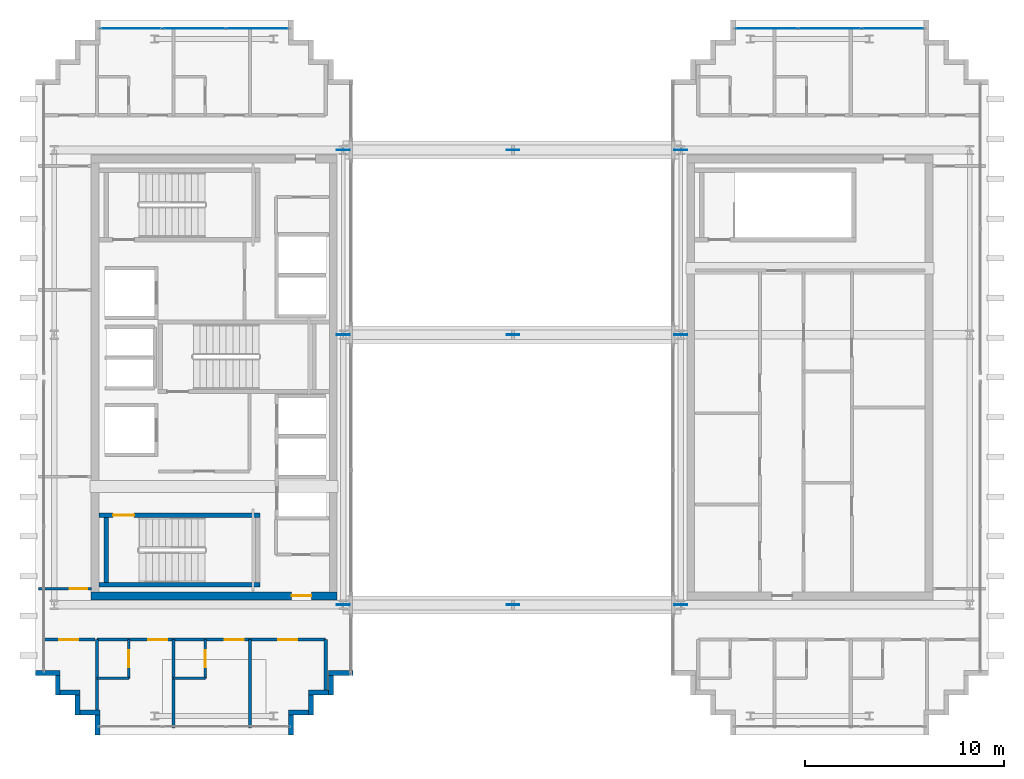
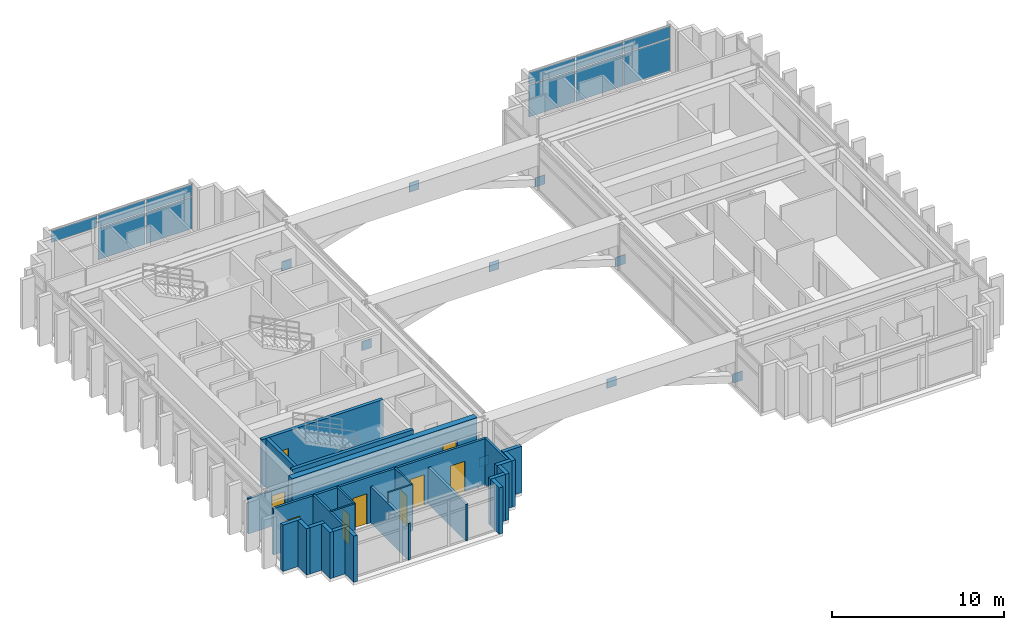
# One storey, part 22 of 28: 27 walls, 20 plates, 9 doors, 9 openings, 2 elements without a shape of their own.
"""IFC4 building model written with IfcOpenShell, lengths in metres."""

from ifc_helpers import new_model, si_unit, direction, frame, frame_2d, origin, origin_2d, place, context, subcontext, project, spatial, rectangle, extrude, source, transform, mapped, material, layer, layer_set, type_object, element, fill, aggregate, save


model = new_model("IFC4")

# Units and contexts
model_context = context("Model", 3, precision=1e-05, world=origin(), true_north=direction((0.0, 1.0)))
body_context = subcontext(model_context, "Body", "Model", "MODEL_VIEW")
ifc_project = project(units=[si_unit("LENGTHUNIT", "METRE"), si_unit("AREAUNIT", "SQUARE_METRE"), si_unit("VOLUMEUNIT", "CUBIC_METRE"), si_unit("PLANEANGLEUNIT", "RADIAN"), si_unit("MASSUNIT", "GRAM", prefix="KILO")], contexts=[model_context])

# Site, building, storey
site_placement = place(None, origin())
site = spatial("IfcSite", under=ifc_project, at=site_placement, CompositionType="ELEMENT")
building_placement = place(site_placement, origin())
building = spatial("IfcBuilding", under=site, at=building_placement, Name="Ocotamira Hotel", CompositionType="ELEMENT")
storey_placement = place(building_placement, frame((0.0, 0.0, 268.800048828125)))
storey = spatial("IfcBuildingStorey", under=building, at=storey_placement, Name="L68", CompositionType="ELEMENT", Elevation=268.800048828125)

# Plates
ifc_material_1 = material(Name="Pale-metal coated steel ASTM A572 Grade 50", Category="steel")
ifc_layer_1 = layer(ifc_material_1, 0.0400390625)
ifc_layer_set_1 = layer_set([ifc_layer_1], Name="Pale-metal coated steel ASTM A572 Grade 50")
plate_type_1 = type_object("IfcPlateType", Name="PLT-GUSSET-40", PredefinedType="SHEET", material=ifc_layer_set_1)
shared_shape_1 = source(origin(), body_context, "Body", "SweptSolid", [
    extrude(rectangle(XDim=0.64990234375, YDim=0.0400390625, at=origin_2d()), origin(), (0.0, 0.0, 1.0), 0.64990234375),
])
for number, where, z_axis, x_axis, name in (
    (1, (23.5, 14.550048828125, -0.074951171875), (0.0, 0.0, 1.0), (1.0, 0.0, 0.0), "L68 Peak Transfer Truss Web 1 Y14 End Gusset A"),
    (2, (32.050048828125, 14.550048828125, 2.5048828125), (0.0, 0.0, 1.0), (1.0, 0.0, 0.0), "L68 Peak Transfer Truss Web 1 Y14 End Gusset B"),
    (3, (40.5, 14.550048828125, -0.074951171875), (0.0, 0.0, 1.0), (-1.0, 0.0, 0.0), "L68 Peak Transfer Truss Web 2 Y14 End Gusset A"),
    (4, (23.5, 28.14990234375, -0.074951171875), (0.0, 0.0, 1.0), (1.0, 0.0, 0.0), "L68 Peak Transfer Truss Web 1 Y28 End Gusset A"),
    (5, (32.050048828125, 28.14990234375, 2.5048828125), (0.0, 0.0, 1.0), (1.0, 0.0, 0.0), "L68 Peak Transfer Truss Web 1 Y28 End Gusset B"),
    (6, (40.5, 28.14990234375, -0.074951171875), (0.0, 0.0, 1.0), (-1.0, 0.0, 0.0), "L68 Peak Transfer Truss Web 2 Y28 End Gusset A"),
    (7, (23.5, 37.449951171875, -0.074951171875), (0.0, 0.0, 1.0), (1.0, 0.0, 0.0), "L68 Peak Transfer Truss Web 1 Y37 End Gusset A"),
    (8, (32.050048828125, 37.449951171875, 2.5048828125), (0.0, 0.0, 1.0), (1.0, 0.0, 0.0), "L68 Peak Transfer Truss Web 1 Y37 End Gusset B"),
    (9, (40.5, 37.449951171875, -0.074951171875), (0.0, 0.0, 1.0), (-1.0, 0.0, 0.0), "L68 Peak Transfer Truss Web 2 Y37 End Gusset A"),
):
    element("IfcPlate", number, at=place(storey_placement, frame(where, z_axis=z_axis, x_axis=x_axis)), inside=storey, type_object=plate_type_1, Name=name, PredefinedType="SHEET", context=body_context, shape_type="MappedRepresentation", body=[
        mapped(shared_shape_1, transform((0.0, 0.0, 0.0), scale=1.0)),
    ])

# Curtain wall, plate
ifc_material_2 = material(Name="Anodised pale-metal aluminium and solar glass", Category="aluminium")
ifc_layer_2 = layer(ifc_material_2, 0.2099609375)
ifc_layer_set_2 = layer_set([ifc_layer_2], Name="Anodised pale-metal aluminium and solar glass")
curtain_wall_type = type_object("IfcCurtainWallType", Name="CW-SYS7-PEAK", PredefinedType="NOTDEFINED", material=ifc_layer_set_2)
curtain_wall_1_placement = place(storey_placement, origin())
curtain_wall_1 = element("IfcCurtainWall", 10, at=curtain_wall_1_placement, inside=storey, type_object=curtain_wall_type, Name="L68 Curtain Wall CW-7 CW-L68-WN", PredefinedType="NOTDEFINED")
ifc_material_3 = material(Name="Double-silver low-E insulated solar glass", Category="glass")
ifc_layer_3 = layer(ifc_material_3, 0.031982421875)
ifc_layer_set_3 = layer_set([ifc_layer_3], Name="Double-silver low-E insulated solar glass")
plate_type_2 = type_object("IfcPlateType", Name="CWP-VISION-32", PredefinedType="CURTAIN_PANEL", material=ifc_layer_set_3)
shared_shape_2 = source(origin(), body_context, "Body", "SweptSolid", [
    extrude(rectangle(XDim=3.080078125, YDim=0.031982421875, at=origin_2d()), origin(), (0.0, 0.0, 1.0), 2.237548828125),
])
plate_1_placement = place(storey_placement, frame((19.179931640625, 43.580078125, 0.07470703125), z_axis=(0.0, 0.0, 1.0), x_axis=(1.0, 0.0, 0.0)))
plate_1 = element("IfcPlate", 11, at=plate_1_placement, type_object=plate_type_2, Name="CW-7 panel 3.1", PredefinedType="CURTAIN_PANEL", context=body_context, shape_type="MappedRepresentation", body=[
    mapped(shared_shape_2, transform((0.0, 0.0, 0.0), scale=1.0)),
])

# Curtain wall, plates
curtain_wall_2_placement = place(storey_placement, origin())
curtain_wall_2 = element("IfcCurtainWall", 12, at=curtain_wall_2_placement, inside=storey, type_object=curtain_wall_type, Name="L68 Curtain Wall CW-7 CW-L68-EN", PredefinedType="NOTDEFINED")
plate_2_placement = place(storey_placement, frame((44.820068359375, 43.580078125, 0.07470703125), z_axis=(0.0, 0.0, 1.0), x_axis=(1.0, 0.0, 0.0)))
plate_2 = element("IfcPlate", 13, at=plate_2_placement, type_object=plate_type_2, Name="CW-7 panel 1.1", PredefinedType="CURTAIN_PANEL", context=body_context, shape_type="MappedRepresentation", body=[
    mapped(shared_shape_2, transform((0.0, 0.0, 0.0), scale=1.0)),
])
plate_3_placement = place(storey_placement, frame((51.179931640625, 43.580078125, 0.07470703125), z_axis=(0.0, 0.0, 1.0), x_axis=(1.0, 0.0, 0.0)))
plate_3 = element("IfcPlate", 14, at=plate_3_placement, type_object=plate_type_2, Name="CW-7 panel 3.1", PredefinedType="CURTAIN_PANEL", context=body_context, shape_type="MappedRepresentation", body=[
    mapped(shared_shape_2, transform((0.0, 0.0, 0.0), scale=1.0)),
])

# Plate
shared_shape_3 = source(origin(), body_context, "Body", "SweptSolid", [
    extrude(rectangle(XDim=3.1201171875, YDim=0.031982421875, at=origin_2d()), origin(), (0.0, 0.0, 1.0), 2.237548828125),
])
plate_4_placement = place(storey_placement, frame((16.0, 43.580078125, 0.07470703125), z_axis=(0.0, 0.0, 1.0), x_axis=(1.0, 0.0, 0.0)))
plate_4 = element("IfcPlate", 15, at=plate_4_placement, type_object=plate_type_2, Name="CW-7 panel 2.1", PredefinedType="CURTAIN_PANEL", context=body_context, shape_type="MappedRepresentation", body=[
    mapped(shared_shape_3, transform((0.0, 0.0, 0.0), scale=1.0)),
])

plate_5_placement = place(storey_placement, frame((48.0, 43.580078125, 0.07470703125), z_axis=(0.0, 0.0, 1.0), x_axis=(1.0, 0.0, 0.0)))
plate_5 = element("IfcPlate", 16, at=plate_5_placement, type_object=plate_type_2, Name="CW-7 panel 2.1", PredefinedType="CURTAIN_PANEL", context=body_context, shape_type="MappedRepresentation", body=[
    mapped(shared_shape_3, transform((0.0, 0.0, 0.0), scale=1.0)),
])

shared_shape_4 = source(origin(), body_context, "Body", "SweptSolid", [
    extrude(rectangle(XDim=3.080078125, YDim=0.031982421875, at=origin_2d()), origin(), (0.0, 0.0, 1.0), 0.8173828125),
])
plate_6_placement = place(storey_placement, frame((12.820068359375, 43.580078125, 2.387451171875), z_axis=(0.0, 0.0, 1.0), x_axis=(1.0, 0.0, 0.0)))
plate_6 = element("IfcPlate", 17, at=plate_6_placement, type_object=plate_type_2, Name="CW-7 panel 1.2", PredefinedType="CURTAIN_PANEL", context=body_context, shape_type="MappedRepresentation", body=[
    mapped(shared_shape_4, transform((0.0, 0.0, 0.0), scale=1.0)),
])

plate_7_placement = place(storey_placement, frame((19.179931640625, 43.580078125, 2.387451171875), z_axis=(0.0, 0.0, 1.0), x_axis=(1.0, 0.0, 0.0)))
plate_7 = element("IfcPlate", 18, at=plate_7_placement, type_object=plate_type_2, Name="CW-7 panel 3.2", PredefinedType="CURTAIN_PANEL", context=body_context, shape_type="MappedRepresentation", body=[
    mapped(shared_shape_4, transform((0.0, 0.0, 0.0), scale=1.0)),
])

plate_8_placement = place(storey_placement, frame((44.820068359375, 43.580078125, 2.387451171875), z_axis=(0.0, 0.0, 1.0), x_axis=(1.0, 0.0, 0.0)))
plate_8 = element("IfcPlate", 19, at=plate_8_placement, type_object=plate_type_2, Name="CW-7 panel 1.2", PredefinedType="CURTAIN_PANEL", context=body_context, shape_type="MappedRepresentation", body=[
    mapped(shared_shape_4, transform((0.0, 0.0, 0.0), scale=1.0)),
])

plate_9_placement = place(storey_placement, frame((51.179931640625, 43.580078125, 2.387451171875), z_axis=(0.0, 0.0, 1.0), x_axis=(1.0, 0.0, 0.0)))
plate_9 = element("IfcPlate", 20, at=plate_9_placement, type_object=plate_type_2, Name="CW-7 panel 3.2", PredefinedType="CURTAIN_PANEL", context=body_context, shape_type="MappedRepresentation", body=[
    mapped(shared_shape_4, transform((0.0, 0.0, 0.0), scale=1.0)),
])

shared_shape_5 = source(origin(), body_context, "Body", "SweptSolid", [
    extrude(rectangle(XDim=3.1201171875, YDim=0.031982421875, at=origin_2d()), origin(), (0.0, 0.0, 1.0), 0.8173828125),
])
plate_10_placement = place(storey_placement, frame((16.0, 43.580078125, 2.387451171875), z_axis=(0.0, 0.0, 1.0), x_axis=(1.0, 0.0, 0.0)))
plate_10 = element("IfcPlate", 21, at=plate_10_placement, type_object=plate_type_2, Name="CW-7 panel 2.2", PredefinedType="CURTAIN_PANEL", context=body_context, shape_type="MappedRepresentation", body=[
    mapped(shared_shape_5, transform((0.0, 0.0, 0.0), scale=1.0)),
])

aggregate(curtain_wall_1, [plate_6, plate_4, plate_10, plate_1, plate_7])

plate_11_placement = place(storey_placement, frame((48.0, 43.580078125, 2.387451171875), z_axis=(0.0, 0.0, 1.0), x_axis=(1.0, 0.0, 0.0)))
plate_11 = element("IfcPlate", 22, at=plate_11_placement, type_object=plate_type_2, Name="CW-7 panel 2.2", PredefinedType="CURTAIN_PANEL", context=body_context, shape_type="MappedRepresentation", body=[
    mapped(shared_shape_5, transform((0.0, 0.0, 0.0), scale=1.0)),
])

aggregate(curtain_wall_2, [plate_2, plate_8, plate_5, plate_11, plate_3, plate_9])

# Wall, opening, door
ifc_material_4 = material(Name="Concrete C50/60", Category="concrete")
ifc_layer_4 = layer(ifc_material_4, 0.39990234375)
ifc_layer_set_4 = layer_set([ifc_layer_4], Name="Concrete C50/60")
wall_type_1 = type_object("IfcWallType", Name="WL-CORE-400", PredefinedType="SHEAR", material=ifc_layer_set_4)
wall_1_placement = place(storey_placement, frame((10.800048828125, 15.0, 0.0), z_axis=(0.0, 0.0, 1.0), x_axis=(1.0, 0.0, 0.0)))
wall_1 = element("IfcWall", 23, at=wall_1_placement, inside=storey, type_object=wall_type_1, Name="L68 Shear Core Wall WCORE-S", PredefinedType="SHEAR", context=body_context, shape_type="SweptSolid", body=[
    extrude(rectangle(XDim=12.39990234375, YDim=0.39990234375, at=frame_2d((6.199951171875, 0.0))), origin(), (0.0, 0.0, 1.0), 3.280029296875),
])
opening_1_placement = place(wall_1_placement, frame((10.10009765625, 0.0, 0.0)))
opening_1 = element("IfcOpeningElement", 24, at=opening_1_placement, cuts=wall_1, Name="Opening D-FR2", PredefinedType="OPENING", context=body_context, shape_type="SweptSolid", body=[
    extrude(rectangle(XDim=1.0, YDim=2.14990234375, at=frame_2d((0.5, 1.074951171875))), frame((0.0, 0.2099609375, 0.0), z_axis=(0.0, -1.0, 0.0), x_axis=(1.0, 0.0, 0.0)), (0.0, 0.0, 1.0), 0.419921875),
])
ifc_material_5 = material(Name="Fire-rated acoustic timber-veneer door", Category="wood")
door_type_1 = type_object("IfcDoorType", Name="DR-FIRE-1000", OperationType="NOTDEFINED", PredefinedType="DOOR", material=ifc_material_5)
shared_shape_6 = source(origin(), body_context, "Body", "SweptSolid", [
    extrude(rectangle(XDim=1.0, YDim=2.14990234375, at=frame_2d((0.5, 1.074951171875))), frame((0.0, 0.02490234375, 0.0), z_axis=(0.0, -1.0, 0.0), x_axis=(1.0, 0.0, 0.0)), (0.0, 0.0, 1.0), 0.050048828125),
])
door_1_placement = place(opening_1_placement, origin())
door_1 = element("IfcDoor", 25, at=door_1_placement, inside=storey, type_object=door_type_1, Name="L68 Door ID-L68-WLOB-S-D [ID-L68-WLOB-S-D]", OperationType="SINGLE_SWING_LEFT", OverallHeight=2.14990234375, OverallWidth=1.0, PredefinedType="DOOR", context=body_context, shape_type="MappedRepresentation", body=[
    mapped(shared_shape_6, transform((0.0, 0.0, 0.0), scale=1.0)),
])
fill(opening_1, door_1)

# Walls
ifc_material_6 = material(Name="Precast concrete C45/55", Category="concrete")
ifc_layer_5 = layer(ifc_material_6, 0.25)
ifc_layer_set_5 = layer_set([ifc_layer_5], Name="Precast concrete C45/55")
wall_type_2 = type_object("IfcWallType", Name="WL-EXT-SER-250", PredefinedType="SOLIDWALL", material=ifc_layer_set_5)
for number, where, z_axis, x_axis, name in (
    (26, (20.875, 8.0, 0.0), (0.0, 0.0, 1.0), (0.0, 1.0, 0.0), "L68 -W Serrated Corner Wall 01"),
    (27, (20.75, 9.125, 0.0), (0.0, 0.0, 1.0), (1.0, 0.0, 0.0), "L68 -W Serrated Corner Wall 02"),
    (28, (21.875, 9.0, 0.0), (0.0, 0.0, 1.0), (0.0, 1.0, 0.0), "L68 -W Serrated Corner Wall 03"),
    (29, (21.75, 10.125, 0.0), (0.0, 0.0, 1.0), (1.0, 0.0, 0.0), "L68 -W Serrated Corner Wall 04"),
    (30, (22.875, 10.0, 0.0), (0.0, 0.0, 1.0), (0.0, 1.0, 0.0), "L68 -W Serrated Corner Wall 05"),
):
    element("IfcWall", number, at=place(storey_placement, frame(where, z_axis=z_axis, x_axis=x_axis)), inside=storey, type_object=wall_type_2, Name=name, PredefinedType="SOLIDWALL", context=body_context, shape_type="SweptSolid", body=[
        extrude(rectangle(XDim=1.0, YDim=0.25, at=frame_2d((0.5, 0.0))), origin(), (0.0, 0.0, 1.0), 3.280029296875),
    ])
for number, where, z_axis, x_axis, name in (
    (31, (22.75, 11.125, 0.0), (0.0, 0.0, 1.0), (1.0, 0.0, 0.0), "L68 -W Serrated Corner Wall 06"),
    (32, (8.0, 11.125, 0.0), (0.0, 0.0, 1.0), (1.0, 0.0, 0.0), "L68 -W Serrated Corner Wall 19"),
):
    element("IfcWall", number, at=place(storey_placement, frame(where, z_axis=z_axis, x_axis=x_axis)), inside=storey, type_object=wall_type_2, Name=name, PredefinedType="SOLIDWALL", context=body_context, shape_type="SweptSolid", body=[
        extrude(rectangle(XDim=1.25, YDim=0.25, at=frame_2d((0.625, 0.0))), origin(), (0.0, 0.0, 1.0), 3.280029296875),
    ])
for number, where, z_axis, x_axis, name in (
    (33, (9.125, 11.0, 0.0), (0.0, 0.0, 1.0), (0.0, -1.0, 0.0), "L68 -W Serrated Corner Wall 20"),
    (34, (9.25, 10.125, 0.0), (0.0, 0.0, 1.0), (1.0, 0.0, 0.0), "L68 -W Serrated Corner Wall 21"),
    (35, (10.125, 10.0, 0.0), (0.0, 0.0, 1.0), (0.0, -1.0, 0.0), "L68 -W Serrated Corner Wall 22"),
    (36, (10.25, 9.125, 0.0), (0.0, 0.0, 1.0), (1.0, 0.0, 0.0), "L68 -W Serrated Corner Wall 23"),
    (37, (11.125, 9.0, 0.0), (0.0, 0.0, 1.0), (0.0, -1.0, 0.0), "L68 -W Serrated Corner Wall 24"),
):
    element("IfcWall", number, at=place(storey_placement, frame(where, z_axis=z_axis, x_axis=x_axis)), inside=storey, type_object=wall_type_2, Name=name, PredefinedType="SOLIDWALL", context=body_context, shape_type="SweptSolid", body=[
        extrude(rectangle(XDim=1.0, YDim=0.25, at=frame_2d((0.5, 0.0))), origin(), (0.0, 0.0, 1.0), 3.280029296875),
    ])

# Wall, openings, doors
ifc_material_7 = material(Name="Acoustic double-layer fire gypsum board partition", Category="gypsum")
ifc_layer_6 = layer(ifc_material_7, 0.159912109375)
ifc_layer_set_6 = layer_set([ifc_layer_6], Name="Acoustic double-layer fire gypsum board partition")
wall_type_3 = type_object("IfcWallType", Name="WL-FIRE-160", PredefinedType="PARTITIONING", material=ifc_layer_set_6)
wall_2_placement = place(storey_placement, frame((11.10009765625, 12.800048828125, 0.0), z_axis=(0.0, 0.0, 1.0), x_axis=(1.0, 0.0, 0.0)))
wall_2 = element("IfcWall", 38, at=wall_2_placement, inside=storey, type_object=wall_type_3, Name="L68 Interior Wall PW-L68-SPW2S-CORRW", PredefinedType="PARTITIONING", context=body_context, shape_type="SweptSolid", body=[
    extrude(rectangle(XDim=11.52001953125, YDim=0.159912109375, at=frame_2d((5.760009765625, 0.0))), origin(), (0.0, 0.0, 1.0), 3.280029296875),
])
opening_2_placement = place(wall_2_placement, frame((2.590087890625, 0.0, 0.0)))
opening_2 = element("IfcOpeningElement", 39, at=opening_2_placement, cuts=wall_2, Name="Opening D-GR1", PredefinedType="OPENING", context=body_context, shape_type="SweptSolid", body=[
    extrude(rectangle(XDim=0.93994140625, YDim=2.14990234375, at=frame_2d((0.469970703125, 1.074951171875))), frame((0.0, 0.08984375, 0.0), z_axis=(0.0, -1.0, 0.0), x_axis=(1.0, 0.0, 0.0)), (0.0, 0.0, 1.0), 0.179931640625),
])
opening_3_placement = place(wall_2_placement, frame((6.43994140625, 0.0, 0.0)))
opening_3 = element("IfcOpeningElement", 40, at=opening_3_placement, cuts=wall_2, Name="Opening D-GR1", PredefinedType="OPENING", context=body_context, shape_type="SweptSolid", body=[
    extrude(rectangle(XDim=0.93994140625, YDim=2.14990234375, at=frame_2d((0.469970703125, 1.074951171875))), frame((0.0, 0.08984375, 0.0), z_axis=(0.0, -1.0, 0.0), x_axis=(1.0, 0.0, 0.0)), (0.0, 0.0, 1.0), 0.179931640625),
])
opening_4_placement = place(wall_2_placement, frame((9.1298828125, 0.0, 0.0)))
opening_4 = element("IfcOpeningElement", 41, at=opening_4_placement, cuts=wall_2, Name="Opening D-SV4", PredefinedType="OPENING", context=body_context, shape_type="SweptSolid", body=[
    extrude(rectangle(XDim=0.9599609375, YDim=2.14990234375, at=frame_2d((0.47998046875, 1.074951171875))), frame((0.0, 0.08984375, 0.0), z_axis=(0.0, -1.0, 0.0), x_axis=(1.0, 0.0, 0.0)), (0.0, 0.0, 1.0), 0.179931640625),
])
ifc_material_8 = material(Name="Fire-rated accessible walnut salon door", Category="wood")
door_type_2 = type_object("IfcDoorType", Name="DR-SERV-960", OperationType="NOTDEFINED", PredefinedType="DOOR", material=ifc_material_8)
shared_shape_7 = source(origin(), body_context, "Body", "SweptSolid", [
    extrude(rectangle(XDim=0.9599609375, YDim=2.14990234375, at=frame_2d((0.47998046875, 1.074951171875))), frame((0.0, 0.02490234375, 0.0), z_axis=(0.0, -1.0, 0.0), x_axis=(1.0, 0.0, 0.0)), (0.0, 0.0, 1.0), 0.050048828125),
])
door_2_placement = place(opening_4_placement, origin())
door_2 = element("IfcDoor", 42, at=door_2_placement, inside=storey, type_object=door_type_2, Name="L68 Door ID-L68-SPW2S-AMD3 [ID-L68-SPW2S-AMD3]", OperationType="SINGLE_SWING_LEFT", OverallHeight=2.14990234375, OverallWidth=0.9599609375, PredefinedType="DOOR", context=body_context, shape_type="MappedRepresentation", body=[
    mapped(shared_shape_7, transform((0.0, 0.0, 0.0), scale=1.0)),
])
fill(opening_4, door_2)
ifc_material_9 = material(Name="Solid-core walnut suite entrance fire door", Category="wood")
door_type_3 = type_object("IfcDoorType", Name="DR-GUEST-940", OperationType="NOTDEFINED", PredefinedType="DOOR", material=ifc_material_9)
shared_shape_8 = source(origin(), body_context, "Body", "SweptSolid", [
    extrude(rectangle(XDim=0.93994140625, YDim=2.14990234375, at=frame_2d((0.469970703125, 1.074951171875))), frame((0.0, 0.02490234375, 0.0), z_axis=(0.0, -1.0, 0.0), x_axis=(1.0, 0.0, 0.0)), (0.0, 0.0, 1.0), 0.050048828125),
])
door_3_placement = place(opening_2_placement, origin())
door_3 = element("IfcDoor", 43, at=door_3_placement, inside=storey, type_object=door_type_3, Name="L68 Door ID-L68-SPW2S-RMD1 [ID-L68-SPW2S-RMD1]", OperationType="SINGLE_SWING_LEFT", OverallHeight=2.14990234375, OverallWidth=0.93994140625, PredefinedType="DOOR", context=body_context, shape_type="MappedRepresentation", body=[
    mapped(shared_shape_8, transform((0.0, 0.0, 0.0), scale=1.0)),
])
fill(opening_2, door_3)
door_4_placement = place(opening_3_placement, origin())
door_4 = element("IfcDoor", 44, at=door_4_placement, inside=storey, type_object=door_type_3, Name="L68 Door ID-L68-SPW2S-RMD2 [ID-L68-SPW2S-RMD2]", OperationType="SINGLE_SWING_RIGHT", OverallHeight=2.14990234375, OverallWidth=0.93994140625, PredefinedType="DOOR", context=body_context, shape_type="MappedRepresentation", body=[
    mapped(shared_shape_8, transform((0.0, 0.0, 0.0), scale=1.0)),
])
fill(opening_3, door_4)

# Wall, opening, door
wall_3_placement = place(storey_placement, frame((8.35009765625, 12.800048828125, 0.0), z_axis=(0.0, 0.0, 1.0), x_axis=(1.0, 0.0, 0.0)))
wall_3 = element("IfcWall", 45, at=wall_3_placement, inside=storey, type_object=wall_type_3, Name="L68 Interior Wall PW-L68-SPCSW2-CW", PredefinedType="PARTITIONING", context=body_context, shape_type="SweptSolid", body=[
    extrude(rectangle(XDim=2.64990234375, YDim=0.159912109375, at=frame_2d((1.324951171875, 0.0))), origin(), (0.0, 0.0, 1.0), 3.280029296875),
])
opening_5_placement = place(wall_3_placement, frame((0.844970703125, 0.0, 0.0)))
opening_5 = element("IfcOpeningElement", 46, at=opening_5_placement, cuts=wall_3, Name="Opening D-SV4", PredefinedType="OPENING", context=body_context, shape_type="SweptSolid", body=[
    extrude(rectangle(XDim=0.9599609375, YDim=2.14990234375, at=frame_2d((0.47998046875, 1.074951171875))), frame((0.0, 0.08984375, 0.0), z_axis=(0.0, -1.0, 0.0), x_axis=(1.0, 0.0, 0.0)), (0.0, 0.0, 1.0), 0.179931640625),
])
door_5_placement = place(opening_5_placement, origin())
door_5 = element("IfcDoor", 47, at=door_5_placement, inside=storey, type_object=door_type_2, Name="L68 Door ID-L68-SPCSW2-CD [ID-L68-SPCSW2-CD]", OperationType="SINGLE_SWING_LEFT", OverallHeight=2.14990234375, OverallWidth=0.9599609375, PredefinedType="DOOR", context=body_context, shape_type="MappedRepresentation", body=[
    mapped(shared_shape_7, transform((0.0, 0.0, 0.0), scale=1.0)),
])
fill(opening_5, door_5)

ifc_material_10 = material(Name="Moisture-resistant en-suite tile and gypsum partition", Category="gypsum")
ifc_layer_7 = layer(ifc_material_10, 0.1201171875)
ifc_layer_set_7 = layer_set([ifc_layer_7], Name="Moisture-resistant en-suite tile and gypsum partition")
wall_type_4 = type_object("IfcWallType", Name="WL-PART-120", PredefinedType="PARTITIONING", material=ifc_layer_set_7)
wall_4_placement = place(storey_placement, frame((12.7099609375, 10.85009765625, 0.0), z_axis=(0.0, 0.0, 1.0), x_axis=(0.0, 1.0, 0.0)))
wall_4 = element("IfcWall", 48, at=wall_4_placement, inside=storey, type_object=wall_type_4, Name="L68 Interior Wall PW-L68-SPW2S-BAE1", PredefinedType="PARTITIONING", context=body_context, shape_type="SweptSolid", body=[
    extrude(rectangle(XDim=1.949951171875, YDim=0.1201171875, at=frame_2d((0.97509765625, 0.0))), origin(), (0.0, 0.0, 1.0), 3.280029296875),
])
opening_6_placement = place(wall_4_placement, frame((0.544921875, 0.0, 0.0)))
opening_6 = element("IfcOpeningElement", 49, at=opening_6_placement, cuts=wall_4, Name="Opening D-BA1", PredefinedType="OPENING", context=body_context, shape_type="SweptSolid", body=[
    extrude(rectangle(XDim=0.860107421875, YDim=2.10009765625, at=frame_2d((0.43017578125, 1.050048828125))), frame((0.0, 0.070068359375, 0.0), z_axis=(0.0, -1.0, 0.0), x_axis=(1.0, 0.0, 0.0)), (0.0, 0.0, 1.0), 0.14013671875),
])
ifc_material_11 = material(Name="Moisture-sealed en-suite timber door", Category="wood")
door_type_4 = type_object("IfcDoorType", Name="DR-BATH-860", OperationType="NOTDEFINED", PredefinedType="DOOR", material=ifc_material_11)
shared_shape_9 = source(origin(), body_context, "Body", "SweptSolid", [
    extrude(rectangle(XDim=0.860107421875, YDim=2.10009765625, at=frame_2d((0.43017578125, 1.050048828125))), frame((0.0, 0.02490234375, 0.0), z_axis=(0.0, -1.0, 0.0), x_axis=(1.0, 0.0, 0.0)), (0.0, 0.0, 1.0), 0.050048828125),
])
door_6_placement = place(opening_6_placement, origin())
door_6 = element("IfcDoor", 50, at=door_6_placement, inside=storey, type_object=door_type_4, Name="L68 Door ID-L68-SPW2S-BAD1 [ID-L68-SPW2S-BAD1]", OperationType="SINGLE_SWING_RIGHT", OverallHeight=2.10009765625, OverallWidth=0.860107421875, PredefinedType="DOOR", context=body_context, shape_type="MappedRepresentation", body=[
    mapped(shared_shape_9, transform((0.0, 0.0, 0.0), scale=1.0)),
])
fill(opening_6, door_6)

# Wall
wall_5_placement = place(storey_placement, frame((11.10009765625, 10.85009765625, 0.0), z_axis=(0.0, 0.0, 1.0), x_axis=(1.0, 0.0, 0.0)))
element("IfcWall", 51, at=wall_5_placement, inside=storey, type_object=wall_type_4, Name="L68 Interior Wall PW-L68-SPW2S-BAS1", PredefinedType="PARTITIONING", context=body_context, shape_type="SweptSolid", body=[
    extrude(rectangle(XDim=1.60986328125, YDim=0.1201171875, at=frame_2d((0.804931640625, 0.0))), origin(), (0.0, 0.0, 1.0), 3.280029296875),
])

# Wall, opening, door
wall_6_placement = place(storey_placement, frame((16.56005859375, 10.85009765625, 0.0), z_axis=(0.0, 0.0, 1.0), x_axis=(0.0, 1.0, 0.0)))
wall_6 = element("IfcWall", 52, at=wall_6_placement, inside=storey, type_object=wall_type_4, Name="L68 Interior Wall PW-L68-SPW2S-BAE2", PredefinedType="PARTITIONING", context=body_context, shape_type="SweptSolid", body=[
    extrude(rectangle(XDim=1.949951171875, YDim=0.1201171875, at=frame_2d((0.97509765625, 0.0))), origin(), (0.0, 0.0, 1.0), 3.280029296875),
])
opening_7_placement = place(wall_6_placement, frame((0.544921875, 0.0, 0.0)))
opening_7 = element("IfcOpeningElement", 53, at=opening_7_placement, cuts=wall_6, Name="Opening D-BA1", PredefinedType="OPENING", context=body_context, shape_type="SweptSolid", body=[
    extrude(rectangle(XDim=0.860107421875, YDim=2.10009765625, at=frame_2d((0.43017578125, 1.050048828125))), frame((0.0, 0.070068359375, 0.0), z_axis=(0.0, -1.0, 0.0), x_axis=(1.0, 0.0, 0.0)), (0.0, 0.0, 1.0), 0.14013671875),
])
door_7_placement = place(opening_7_placement, origin())
door_7 = element("IfcDoor", 54, at=door_7_placement, inside=storey, type_object=door_type_4, Name="L68 Door ID-L68-SPW2S-BAD2 [ID-L68-SPW2S-BAD2]", OperationType="SINGLE_SWING_LEFT", OverallHeight=2.10009765625, OverallWidth=0.860107421875, PredefinedType="DOOR", context=body_context, shape_type="MappedRepresentation", body=[
    mapped(shared_shape_9, transform((0.0, 0.0, 0.0), scale=1.0)),
])
fill(opening_7, door_7)

# Wall
wall_7_placement = place(storey_placement, frame((14.949951171875, 10.85009765625, 0.0), z_axis=(0.0, 0.0, 1.0), x_axis=(1.0, 0.0, 0.0)))
element("IfcWall", 55, at=wall_7_placement, inside=storey, type_object=wall_type_4, Name="L68 Interior Wall PW-L68-SPW2S-BAS2", PredefinedType="PARTITIONING", context=body_context, shape_type="SweptSolid", body=[
    extrude(rectangle(XDim=1.610107421875, YDim=0.1201171875, at=frame_2d((0.80517578125, 0.0))), origin(), (0.0, 0.0, 1.0), 3.280029296875),
])

# Wall, opening, door
ifc_material_12 = material(Name="Acoustic hospitality gypsum board partition", Category="gypsum")
ifc_layer_8 = layer(ifc_material_12, 0.14990234375)
ifc_layer_set_8 = layer_set([ifc_layer_8], Name="Acoustic hospitality gypsum board partition")
wall_type_5 = type_object("IfcWallType", Name="WL-PART-150", PredefinedType="PARTITIONING", material=ifc_layer_set_8)
wall_8_placement = place(storey_placement, frame((8.159912109375, 15.360107421875, 0.0), z_axis=(0.0, 0.0, 1.0), x_axis=(1.0, 0.0, 0.0)))
wall_8 = element("IfcWall", 56, at=wall_8_placement, inside=storey, type_object=wall_type_5, Name="L68 Interior Wall PW-L68-SP2W-WS", PredefinedType="PARTITIONING", context=body_context, shape_type="SweptSolid", body=[
    extrude(rectangle(XDim=2.66015625, YDim=0.14990234375, at=frame_2d((1.330078125, 0.0))), origin(), (0.0, 0.0, 1.0), 2.5009765625),
])
opening_8_placement = place(wall_8_placement, frame((1.580078125, 0.0, 0.0)))
opening_8 = element("IfcOpeningElement", 57, at=opening_8_placement, cuts=wall_8, Name="Opening D-SV2", PredefinedType="OPENING", context=body_context, shape_type="SweptSolid", body=[
    extrude(rectangle(XDim=0.8798828125, YDim=2.14990234375, at=frame_2d((0.43994140625, 1.074951171875))), frame((0.0, 0.0849609375, 0.0), z_axis=(0.0, -1.0, 0.0), x_axis=(1.0, 0.0, 0.0)), (0.0, 0.0, 1.0), 0.169921875),
])
ifc_material_13 = material(Name="Fire-rated painted steel service door", Category="steel")
door_type_5 = type_object("IfcDoorType", Name="DR-SERV-880", OperationType="NOTDEFINED", PredefinedType="DOOR", material=ifc_material_13)
shared_shape_10 = source(origin(), body_context, "Body", "SweptSolid", [
    extrude(rectangle(XDim=0.8798828125, YDim=2.14990234375, at=frame_2d((0.43994140625, 1.074951171875))), frame((0.0, 0.02490234375, 0.0), z_axis=(0.0, -1.0, 0.0), x_axis=(1.0, 0.0, 0.0)), (0.0, 0.0, 1.0), 0.050048828125),
])
door_8_placement = place(opening_8_placement, origin())
door_8 = element("IfcDoor", 58, at=door_8_placement, inside=storey, type_object=door_type_5, Name="L68 Door ID-L68-SP2W-DS [ID-L68-SP2W-DS]", OperationType="SINGLE_SWING_LEFT", OverallHeight=2.14990234375, OverallWidth=0.8798828125, PredefinedType="DOOR", context=body_context, shape_type="MappedRepresentation", body=[
    mapped(shared_shape_10, transform((0.0, 0.0, 0.0), scale=1.0)),
])
fill(opening_8, door_8)

# Walls
ifc_material_14 = material(Name="Acoustic double-stud hospitality gypsum partition", Category="gypsum")
ifc_layer_9 = layer(ifc_material_14, 0.159912109375)
ifc_layer_set_9 = layer_set([ifc_layer_9], Name="Acoustic double-stud hospitality gypsum partition")
wall_type_6 = type_object("IfcWallType", Name="WL-PART-160", PredefinedType="PARTITIONING", material=ifc_layer_set_9)
wall_9_placement = place(storey_placement, frame((11.10009765625, 9.260009765625, 0.0), z_axis=(0.0, 0.0, 1.0), x_axis=(0.0, 1.0, 0.0)))
element("IfcWall", 59, at=wall_9_placement, inside=storey, type_object=wall_type_6, Name="L68 Interior Wall PW-L68-SPW2S-PW0", PredefinedType="PARTITIONING", context=body_context, shape_type="SweptSolid", body=[
    extrude(rectangle(XDim=3.5400390625, YDim=0.159912109375, at=frame_2d((1.77001953125, 0.0))), origin(), (0.0, 0.0, 1.0), 3.280029296875),
])
wall_10_placement = place(storey_placement, frame((22.6201171875, 10.260009765625, 0.0), z_axis=(0.0, 0.0, 1.0), x_axis=(0.0, 1.0, 0.0)))
element("IfcWall", 60, at=wall_10_placement, inside=storey, type_object=wall_type_6, Name="L68 Interior Wall PW-L68-SPW2S-PWEND", PredefinedType="PARTITIONING", context=body_context, shape_type="SweptSolid", body=[
    extrude(rectangle(XDim=2.5400390625, YDim=0.159912109375, at=frame_2d((1.27001953125, 0.0))), origin(), (0.0, 0.0, 1.0), 3.280029296875),
])
for number, where, z_axis, x_axis, name in (
    (61, (14.949951171875, 8.360107421875, 0.0), (0.0, 0.0, 1.0), (0.0, 1.0, 0.0), "L68 Interior Wall PW-L68-SPW2S-PW1"),
    (62, (18.800048828125, 8.360107421875, 0.0), (0.0, 0.0, 1.0), (0.0, 1.0, 0.0), "L68 Interior Wall PW-L68-SPW2S-PW2"),
):
    element("IfcWall", number, at=place(storey_placement, frame(where, z_axis=z_axis, x_axis=x_axis)), inside=storey, type_object=wall_type_6, Name=name, PredefinedType="PARTITIONING", context=body_context, shape_type="SweptSolid", body=[
        extrude(rectangle(XDim=4.43994140625, YDim=0.159912109375, at=frame_2d((2.219970703125, 0.0))), origin(), (0.0, 0.0, 1.0), 2.5869140625),
    ])
ifc_layer_10 = layer(ifc_material_4, 0.219970703125)
ifc_layer_set_10 = layer_set([ifc_layer_10], Name="Concrete C50/60")
wall_type_7 = type_object("IfcWallType", Name="WL-STAIR-220", PredefinedType="SHEAR", material=ifc_layer_set_10)
wall_11_placement = place(storey_placement, frame((11.199951171875, 15.56005859375, 0.0), z_axis=(0.0, 0.0, 1.0), x_axis=(1.0, 0.0, 0.0)))
element("IfcWall", 63, at=wall_11_placement, inside=storey, type_object=wall_type_7, Name="L68 Stair Shaft Structural Wall ST-1-S", PredefinedType="SHEAR", context=body_context, shape_type="SweptSolid", body=[
    extrude(rectangle(XDim=8.110107421875, YDim=0.219970703125, at=frame_2d((4.05517578125, 0.0))), origin(), (0.0, 0.0, 1.0), 3.39990234375),
])

# Wall, opening, door
wall_12_placement = place(storey_placement, frame((11.199951171875, 19.06005859375, 0.0), z_axis=(0.0, 0.0, 1.0), x_axis=(1.0, 0.0, 0.0)))
wall_12 = element("IfcWall", 64, at=wall_12_placement, inside=storey, type_object=wall_type_7, Name="L68 Stair Shaft Structural Wall ST-1-N", PredefinedType="SHEAR", context=body_context, shape_type="SweptSolid", body=[
    extrude(rectangle(XDim=8.110107421875, YDim=0.219970703125, at=frame_2d((4.05517578125, 0.0))), origin(), (0.0, 0.0, 1.0), 3.39990234375),
])
opening_9_placement = place(wall_12_placement, frame((0.719970703125, 0.0, 0.0)))
opening_9 = element("IfcOpeningElement", 65, at=opening_9_placement, cuts=wall_12, Name="Opening D-ST2", PredefinedType="OPENING", context=body_context, shape_type="SweptSolid", body=[
    extrude(rectangle(XDim=1.050048828125, YDim=2.14990234375, at=frame_2d((0.52490234375, 1.074951171875))), frame((0.0, 0.1201171875, 0.0), z_axis=(0.0, -1.0, 0.0), x_axis=(1.0, 0.0, 0.0)), (0.0, 0.0, 1.0), 0.239990234375),
])
ifc_material_15 = material(Name="Insulated painted hollow-metal fire exit door", Category="steel")
door_type_6 = type_object("IfcDoorType", Name="DR-STAIR-1050", OperationType="NOTDEFINED", PredefinedType="DOOR", material=ifc_material_15)
shared_shape_11 = source(origin(), body_context, "Body", "SweptSolid", [
    extrude(rectangle(XDim=1.050048828125, YDim=2.14990234375, at=frame_2d((0.52490234375, 1.074951171875))), frame((0.0, 0.02490234375, 0.0), z_axis=(0.0, -1.0, 0.0), x_axis=(1.0, 0.0, 0.0)), (0.0, 0.0, 1.0), 0.050048828125),
])
door_9_placement = place(opening_9_placement, origin())
door_9 = element("IfcDoor", 66, at=door_9_placement, inside=storey, type_object=door_type_6, Name="L68 Door ID-L68-STD-ST-1 [ID-L68-STD-ST-1]", OperationType="SINGLE_SWING_LEFT", OverallHeight=2.14990234375, OverallWidth=1.050048828125, PredefinedType="DOOR", context=body_context, shape_type="MappedRepresentation", body=[
    mapped(shared_shape_11, transform((0.0, 0.0, 0.0), scale=1.0)),
])
fill(opening_9, door_9)

# Wall
wall_13_placement = place(storey_placement, frame((11.56005859375, 15.669921875, 0.0), z_axis=(0.0, 0.0, 1.0), x_axis=(0.0, 1.0, 0.0)))
element("IfcWall", 67, at=wall_13_placement, inside=storey, type_object=wall_type_7, Name="L68 Stair Shaft Structural Wall ST-1-W", PredefinedType="SHEAR", context=body_context, shape_type="SweptSolid", body=[
    extrude(rectangle(XDim=3.280029296875, YDim=0.219970703125, at=frame_2d((1.64013671875, 0.0))), origin(), (0.0, 0.0, 1.0), 3.39990234375),
])

save(model, "model.ifc")
